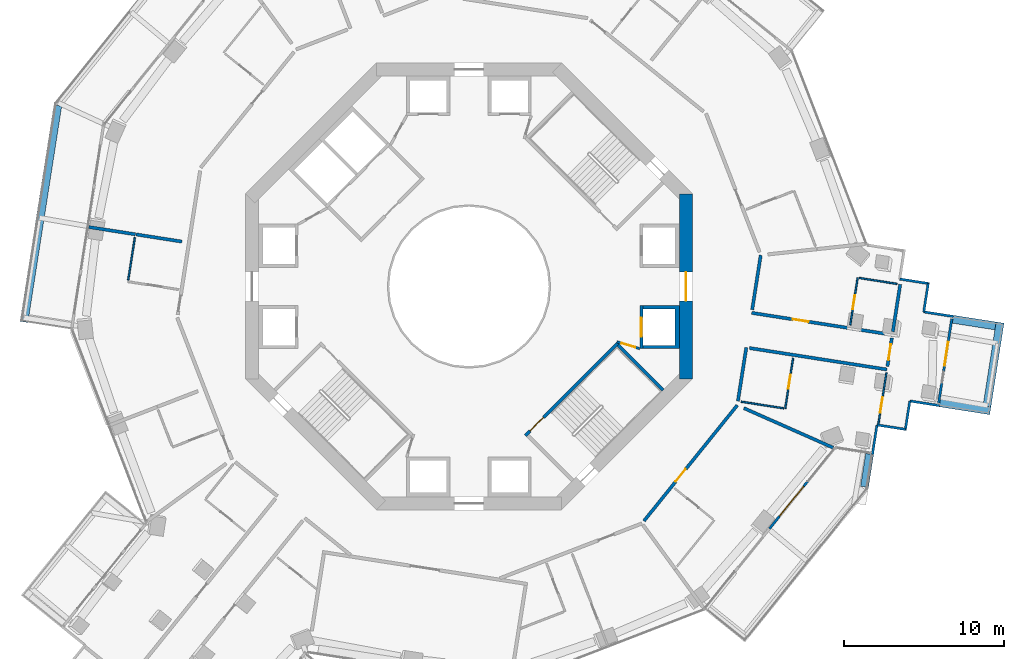
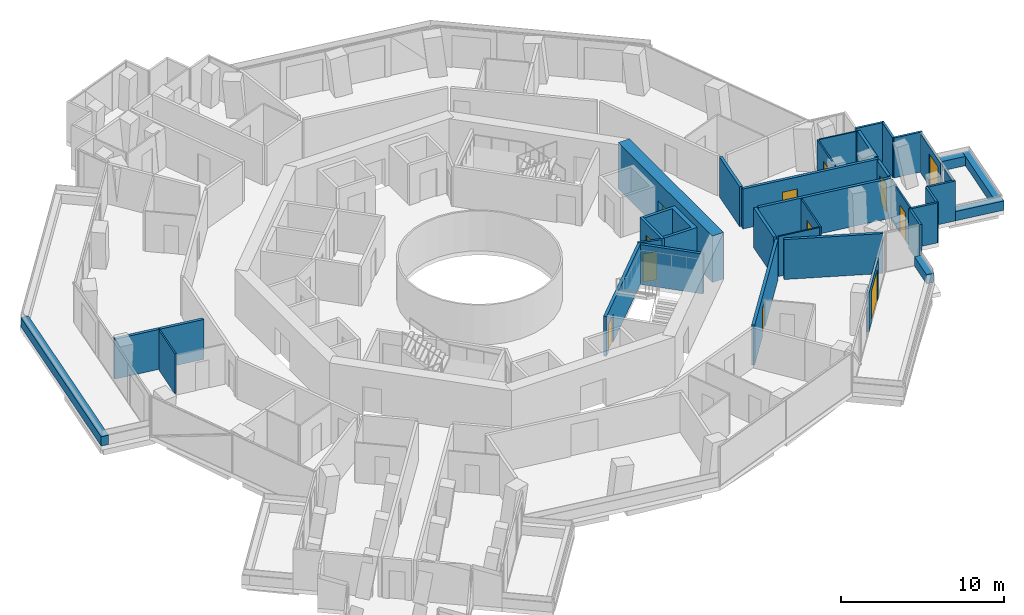
# One storey, part 17 of 23: 37 walls, 12 doors, 12 openings.
"""IFC4 building model written with IfcOpenShell, lengths in metres."""

from ifc_helpers import new_model, si_unit, direction, frame, frame_2d, origin, place, context, subcontext, project, spatial, polyline, rectangle, outline, extrude, material, layer, layer_set, type_object, element, fill, save


model = new_model("IFC4")

# Units and contexts
model_context = context("Model", 3, precision=1e-05, world=origin(), true_north=direction((0.0, 1.0)))
body_context = subcontext(model_context, "Body", "Model", "MODEL_VIEW")
ifc_project = project(units=[si_unit("LENGTHUNIT", "METRE"), si_unit("AREAUNIT", "SQUARE_METRE"), si_unit("VOLUMEUNIT", "CUBIC_METRE"), si_unit("PLANEANGLEUNIT", "RADIAN"), si_unit("MASSUNIT", "GRAM", prefix="KILO")], contexts=[model_context])

# Site, building, storey
site_placement = place(None, origin())
site = spatial("IfcSite", under=ifc_project, at=site_placement, CompositionType="ELEMENT")
building_placement = place(site_placement, origin())
building = spatial("IfcBuilding", under=site, at=building_placement, Name="Verdalira Terraces Hotel", CompositionType="ELEMENT")
storey_placement = place(building_placement, frame((0.0, 0.0, 118.5)))
storey = spatial("IfcBuildingStorey", under=building, at=storey_placement, Name="L28", CompositionType="ELEMENT", Elevation=118.5)

# Walls
ifc_material_1 = material(Name="Concrete C40", Category="concrete")
ifc_layer_1 = layer(ifc_material_1, 0.5)
ifc_layer_set_1 = layer_set([ifc_layer_1], Name="Balcony planter trough with tree")
wall_type_1 = type_object("IfcWallType", Name="Balcony planter trough with tree", PredefinedType="SOLIDWALL", material=ifc_layer_set_1)
wall_1_placement = place(storey_placement, frame((-25.76709, 11.336914, 0.0), z_axis=(0.0, 0.0, 1.0), x_axis=(-0.15436277, -0.988014238, 0.0)))
element("IfcWall", 1, at=wall_1_placement, inside=storey, type_object=wall_type_1, Name="Balcony planter", PredefinedType="SOLIDWALL", context=body_context, shape_type="SweptSolid", body=[
    extrude(rectangle(XDim=13.723633, YDim=0.5, at=frame_2d((6.861816, 0.0))), origin(), (0.0, 0.0, 1.0), 0.699951),
])
wall_2_placement = place(storey_placement, frame((24.786133, -12.553467, 0.0), z_axis=(0.0, 0.0, 1.0), x_axis=(0.154416344, 0.988005867, 0.0)))
element("IfcWall", 2, at=wall_2_placement, inside=storey, type_object=wall_type_1, Name="Balcony planter", PredefinedType="SOLIDWALL", context=body_context, shape_type="SweptSolid", body=[
    extrude(rectangle(XDim=2.075928, YDim=0.5, at=frame_2d((1.038086, 0.0))), origin(), (0.0, 0.0, 1.0), 0.699951),
])
wall_3_placement = place(storey_placement, frame((29.505859, -7.291992, 0.0), z_axis=(0.0, 0.0, 1.0), x_axis=(0.988009851, -0.154390849, 0.0)))
element("IfcWall", 3, at=wall_3_placement, inside=storey, type_object=wall_type_1, Name="Balcony planter", PredefinedType="SOLIDWALL", context=body_context, shape_type="SweptSolid", body=[
    extrude(rectangle(XDim=3.198975, YDim=0.5, at=frame_2d((1.599609, 0.0))), origin(), (0.0, 0.0, 1.0), 0.699951),
])
wall_4_placement = place(storey_placement, frame((32.458008, -7.500244, 0.0), z_axis=(0.0, 0.0, 1.0), x_axis=(0.154410606, 0.988006764, 0.0)))
element("IfcWall", 4, at=wall_4_placement, inside=storey, type_object=wall_type_1, Name="Balcony planter", PredefinedType="SOLIDWALL", context=body_context, shape_type="SweptSolid", body=[
    extrude(rectangle(XDim=5.299805, YDim=0.5, at=frame_2d((2.649902, 0.0))), origin(), (0.0, 0.0, 1.0), 0.699951),
])
wall_5_placement = place(storey_placement, frame((32.990723, -2.472168, 0.0), z_axis=(0.0, 0.0, 1.0), x_axis=(-0.988021948, 0.154313416, 0.0)))
element("IfcWall", 5, at=wall_5_placement, inside=storey, type_object=wall_type_1, Name="Balcony planter", PredefinedType="SOLIDWALL", context=body_context, shape_type="SweptSolid", body=[
    extrude(rectangle(XDim=2.698975, YDim=0.5, at=frame_2d((1.349609, 0.0))), origin(), (0.0, 0.0, 1.0), 0.699951),
])
ifc_material_2 = material(Name="Moisture-resistant gypsum board partition")
ifc_layer_2 = layer(ifc_material_2, 0.10009765625)
ifc_layer_set_2 = layer_set([ifc_layer_2], Name="Bathroom partition 100 mm")
wall_type_2 = type_object("IfcWallType", Name="Bathroom partition 100 mm", PredefinedType="PARTITIONING", material=ifc_layer_set_2)
for number, where, z_axis, x_axis, name in (
    (6, (-21.352295, 0.400879, 0.0), (0.0, 0.0, 1.0), (0.154346539, 0.988016774, 0.0), "Bathroom partition"),
    (7, (17.04834, -7.218262, 0.0), (0.0, 0.0, 1.0), (0.988016774, -0.154346539, 0.0), "Bathroom partition"),
):
    element("IfcWall", number, at=place(storey_placement, frame(where, z_axis=z_axis, x_axis=x_axis)), inside=storey, type_object=wall_type_2, Name=name, PredefinedType="PARTITIONING", context=body_context, shape_type="SweptSolid", body=[
        extrude(rectangle(XDim=2.700195, YDim=0.100098, at=frame_2d((1.350098, 0.0))), origin(), (0.0, 0.0, 1.0), 3.0),
    ])

# Wall, opening, door
wall_6_placement = place(storey_placement, frame((19.814941, -7.650391, 0.0), z_axis=(0.0, 0.0, 1.0), x_axis=(0.154344297, 0.988017124, 0.0)))
wall_6 = element("IfcWall", 8, at=wall_6_placement, inside=storey, type_object=wall_type_2, Name="Bathroom partition", PredefinedType="PARTITIONING", context=body_context, shape_type="SweptSolid", body=[
    extrude(rectangle(XDim=3.199951, YDim=0.100098, at=frame_2d((1.600098, 0.0))), origin(), (0.0, 0.0, 1.0), 3.0),
])
opening_1_placement = place(wall_6_placement, frame((1.25, 0.0, 0.0)))
opening_1 = element("IfcOpeningElement", 9, at=opening_1_placement, cuts=wall_6, Name="Opening L28-124", PredefinedType="OPENING", context=body_context, shape_type="SweptSolid", body=[
    extrude(rectangle(XDim=0.899902, YDim=2.100098, at=frame_2d((0.449951, 1.050049))), frame((0.0, 0.060059, 0.0), z_axis=(0.0, -1.0, 0.0), x_axis=(1.0, 0.0, 0.0)), (0.0, 0.0, 1.0), 0.120117),
])
ifc_material_3 = material(Name="Timber door", Category="wood")
door_type_1 = type_object("IfcDoorType", Name="Bathroom door 900 x 2100", OperationType="NOTDEFINED", PredefinedType="DOOR", material=ifc_material_3)
door_1_placement = place(opening_1_placement, origin())
door_1 = element("IfcDoor", 10, at=door_1_placement, inside=storey, type_object=door_type_1, Name="Bathroom door 2811", OperationType="SINGLE_SWING_LEFT", OverallHeight=2.10009765625, OverallWidth=0.89990234375, PredefinedType="DOOR", context=body_context, shape_type="SweptSolid", body=[
    extrude(rectangle(XDim=0.899902, YDim=2.100098, at=frame_2d((0.449951, 1.050049))), frame((0.0, 0.024902, 0.0), z_axis=(0.0, -1.0, 0.0), x_axis=(1.0, 0.0, 0.0)), (0.0, 0.0, 1.0), 0.050049),
])
fill(opening_1, door_1)

wall_7_placement = place(storey_placement, frame((24.353271, 0.547363, 0.0), z_axis=(0.0, 0.0, 1.0), x_axis=(-0.154374398, -0.988012422, 0.0)))
wall_7 = element("IfcWall", 11, at=wall_7_placement, inside=storey, type_object=wall_type_2, Name="Bathroom partition", PredefinedType="PARTITIONING", context=body_context, shape_type="SweptSolid", body=[
    extrude(rectangle(XDim=3.0, YDim=0.100098, at=frame_2d((1.5, 0.0))), origin(), (0.0, 0.0, 1.0), 3.0),
])
opening_2_placement = place(wall_7_placement, frame((1.100098, 0.0, 0.0)))
opening_2 = element("IfcOpeningElement", 12, at=opening_2_placement, cuts=wall_7, Name="Opening L28-126", PredefinedType="OPENING", context=body_context, shape_type="SweptSolid", body=[
    extrude(rectangle(XDim=0.899902, YDim=2.100098, at=frame_2d((0.449951, 1.050049))), frame((0.0, 0.060059, 0.0), z_axis=(0.0, -1.0, 0.0), x_axis=(1.0, 0.0, 0.0)), (0.0, 0.0, 1.0), 0.120117),
])
door_2_placement = place(opening_2_placement, origin())
door_2 = element("IfcDoor", 13, at=door_2_placement, inside=storey, type_object=door_type_1, Name="Bathroom door 2812", OperationType="SINGLE_SWING_LEFT", OverallHeight=2.10009765625, OverallWidth=0.89990234375, PredefinedType="DOOR", context=body_context, shape_type="SweptSolid", body=[
    extrude(rectangle(XDim=0.899902, YDim=2.100098, at=frame_2d((0.449951, 1.050049))), frame((0.0, 0.024902, 0.0), z_axis=(0.0, -1.0, 0.0), x_axis=(1.0, 0.0, 0.0)), (0.0, 0.0, 1.0), 0.050049),
])
fill(opening_2, door_2)

# Wall
wall_8_placement = place(storey_placement, frame((24.452148, 0.531738, 0.0), z_axis=(0.0, 0.0, 1.0), x_axis=(0.988019791, -0.154327226, 0.0)))
element("IfcWall", 14, at=wall_8_placement, inside=storey, type_object=wall_type_2, Name="Bathroom partition", PredefinedType="PARTITIONING", context=body_context, shape_type="SweptSolid", body=[
    extrude(rectangle(XDim=2.399902, YDim=0.100098, at=frame_2d((1.199951, 0.0))), origin(), (0.0, 0.0, 1.0), 3.0),
])

# Wall, opening, door
wall_9_placement = place(storey_placement, frame((25.654297, -8.615479, 0.0), z_axis=(0.0, 0.0, 1.0), x_axis=(0.154420391, 0.988005234, 0.0)))
wall_9 = element("IfcWall", 15, at=wall_9_placement, inside=storey, type_object=wall_type_2, Name="Bathroom partition", PredefinedType="PARTITIONING", context=body_context, shape_type="SweptSolid", body=[
    extrude(rectangle(XDim=3.252197, YDim=0.100098, at=frame_2d((1.625977, 0.0))), origin(), (0.0, 0.0, 1.0), 3.0),
])
opening_3_placement = place(wall_9_placement, frame((0.699951, 0.0, 0.0)))
opening_3 = element("IfcOpeningElement", 16, at=opening_3_placement, cuts=wall_9, Name="Opening L28-123", PredefinedType="OPENING", context=body_context, shape_type="SweptSolid", body=[
    extrude(rectangle(XDim=1.0, YDim=2.100098, at=frame_2d((0.5, 1.050049))), frame((0.0, 0.060059, 0.0), z_axis=(0.0, -1.0, 0.0), x_axis=(1.0, 0.0, 0.0)), (0.0, 0.0, 1.0), 0.120117),
])
ifc_material_4 = material(Name="Timber door", Category="wood")
door_type_2 = type_object("IfcDoorType", Name="Suite internal door 1000 x 2100", OperationType="NOTDEFINED", PredefinedType="DOOR", material=ifc_material_4)
door_3_placement = place(opening_3_placement, origin())
door_3 = element("IfcDoor", 17, at=door_3_placement, inside=storey, type_object=door_type_2, Name="Suite internal door 2811", OperationType="SINGLE_SWING_LEFT", OverallHeight=2.10009765625, OverallWidth=1.0, PredefinedType="DOOR", context=body_context, shape_type="SweptSolid", body=[
    extrude(rectangle(XDim=1.0, YDim=2.100098, at=frame_2d((0.5, 1.050049))), frame((0.0, 0.024902, 0.0), z_axis=(0.0, -1.0, 0.0), x_axis=(1.0, 0.0, 0.0)), (0.0, 0.0, 1.0), 0.050049),
])
fill(opening_3, door_3)

# Wall
ifc_material_5 = material(Name="Concrete C50", Category="concrete")
ifc_layer_3 = layer(ifc_material_5, 0.199951171875)
ifc_layer_set_3 = layer_set([ifc_layer_3], Name="Core RC wall 200 C50")
wall_type_3 = type_object("IfcWallType", Name="Core RC wall 200 C50", PredefinedType="SOLIDWALL", material=ifc_layer_set_3)
wall_10_placement = place(storey_placement, origin())
element("IfcWall", 18, at=wall_10_placement, inside=storey, type_object=wall_type_3, Name="L28 shaft wall E1", PredefinedType="SOLIDWALL", context=body_context, shape_type="SweptSolid", body=[
    extrude(outline(polyline([(13.199951, -3.899902), (10.899902, -3.899902), (10.899902, -3.699951), (12.899902, -3.699951), (12.899902, -1.399902), (10.899902, -1.399902), (10.899902, -1.199951), (13.199951, -1.199951), (13.199951, -3.899902)])), origin(), (0.0, 0.0, 1.0), 3.0),
])

# Wall, opening, door
wall_11_placement = place(storey_placement, frame((10.800049, -1.199951, 0.0), z_axis=(0.0, 0.0, 1.0), x_axis=(0.0, -1.0, 0.0)))
wall_11 = element("IfcWall", 19, at=wall_11_placement, inside=storey, type_object=wall_type_3, Name="L28 shaft front wall E1", PredefinedType="SOLIDWALL", context=body_context, shape_type="SweptSolid", body=[
    extrude(rectangle(XDim=2.699951, YDim=0.199951, at=frame_2d((1.350098, 0.0))), origin(), (0.0, 0.0, 1.0), 3.0),
])
opening_4_placement = place(wall_11_placement, frame((0.75, 0.0, 0.0)))
opening_4 = element("IfcOpeningElement", 20, at=opening_4_placement, cuts=wall_11, Name="Opening LD-L28-801", PredefinedType="OPENING", context=body_context, shape_type="SweptSolid", body=[
    extrude(rectangle(XDim=1.199951, YDim=2.100098, at=frame_2d((0.600098, 1.050049))), frame((0.0, 0.109863, 0.0), z_axis=(0.0, -1.0, 0.0), x_axis=(1.0, 0.0, 0.0)), (0.0, 0.0, 1.0), 0.219971),
])
ifc_material_6 = material(Name="Stainless steel", Category="steel")
door_type_3 = type_object("IfcDoorType", Name="Landing door 1200 x 2100", OperationType="NOTDEFINED", PredefinedType="DOOR", material=ifc_material_6)
door_4_placement = place(opening_4_placement, origin())
door_4 = element("IfcDoor", 21, at=door_4_placement, inside=storey, type_object=door_type_3, Name="Lift landing door LR1 L28", OperationType="DOUBLE_DOOR_SLIDING", OverallHeight=2.10009765625, OverallWidth=1.199951171875, PredefinedType="DOOR", context=body_context, shape_type="SweptSolid", body=[
    extrude(rectangle(XDim=1.199951, YDim=2.100098, at=frame_2d((0.600098, 1.050049))), frame((0.0, 0.024902, 0.0), z_axis=(0.0, -1.0, 0.0), x_axis=(1.0, 0.0, 0.0)), (0.0, 0.0, 1.0), 0.050049),
])
fill(opening_4, door_4)

wall_12_placement = place(storey_placement, frame((9.33374, -3.5354, 0.0), z_axis=(0.0, 0.0, 1.0), x_axis=(-0.707106781, -0.707106781, 0.0)))
wall_12 = element("IfcWall", 22, at=wall_12_placement, inside=storey, type_object=wall_type_3, Name="L28 stair ST3 front wall", PredefinedType="SOLIDWALL", context=body_context, shape_type="SweptSolid", body=[
    extrude(rectangle(XDim=8.200195, YDim=0.199951, at=frame_2d((4.100098, 0.0))), origin(), (0.0, 0.0, 1.0), 3.0),
])
opening_5_placement = place(wall_12_placement, frame((6.600098, 0.0, 0.0)))
opening_5 = element("IfcOpeningElement", 23, at=opening_5_placement, cuts=wall_12, Name="Opening L28-811", PredefinedType="OPENING", context=body_context, shape_type="SweptSolid", body=[
    extrude(rectangle(XDim=1.199951, YDim=2.100098, at=frame_2d((0.600098, 1.050049))), frame((0.0, 0.109863, 0.0), z_axis=(0.0, -1.0, 0.0), x_axis=(1.0, 0.0, 0.0)), (0.0, 0.0, 1.0), 0.219971),
])
ifc_material_7 = material(Name="Steel fire door", Category="steel")
door_type_4 = type_object("IfcDoorType", Name="Stair door 1200 x 2100", OperationType="NOTDEFINED", PredefinedType="DOOR", material=ifc_material_7)
door_5_placement = place(opening_5_placement, origin())
door_5 = element("IfcDoor", 24, at=door_5_placement, inside=storey, type_object=door_type_4, Name="Stair door ST3 L28", OperationType="SINGLE_SWING_RIGHT", OverallHeight=2.10009765625, OverallWidth=1.199951171875, PredefinedType="DOOR", context=body_context, shape_type="SweptSolid", body=[
    extrude(rectangle(XDim=1.199951, YDim=2.100098, at=frame_2d((0.600098, 1.050049))), frame((0.0, 0.024902, 0.0), z_axis=(0.0, -1.0, 0.0), x_axis=(1.0, 0.0, 0.0)), (0.0, 0.0, 1.0), 0.050049),
])
fill(opening_5, door_5)

# Wall
wall_13_placement = place(storey_placement, frame((9.33374, -3.677002, 0.0), z_axis=(0.0, 0.0, 1.0), x_axis=(0.707106781, -0.707106781, 0.0)))
element("IfcWall", 25, at=wall_13_placement, inside=storey, type_object=wall_type_3, Name="L28 stair ST3 end wall 2", PredefinedType="SOLIDWALL", context=body_context, shape_type="SweptSolid", body=[
    extrude(rectangle(XDim=4.0, YDim=0.199951, at=frame_2d((2.0, 0.0))), origin(), (0.0, 0.0, 1.0), 3.0),
])

# Wall, opening, door
ifc_material_8 = material(Name="Gypsum board partition")
ifc_layer_4 = layer(ifc_material_8, 0.14990234375)
ifc_layer_set_4 = layer_set([ifc_layer_4], Name="Core partition 150 mm")
wall_type_4 = type_object("IfcWallType", Name="Core partition 150 mm", PredefinedType="PARTITIONING", material=ifc_layer_set_4)
wall_14_placement = place(storey_placement, frame((9.263184, -3.464844, 0.0), z_axis=(0.0, 0.0, 1.0), x_axis=(0.957084567, -0.289808785, 0.0)))
wall_14 = element("IfcWall", 26, at=wall_14_placement, inside=storey, type_object=wall_type_4, Name="Room partition L28", PredefinedType="PARTITIONING", context=body_context, shape_type="SweptSolid", body=[
    extrude(rectangle(XDim=1.501221, YDim=0.149902, at=frame_2d((0.750488, 0.0))), origin(), (0.0, 0.0, 1.0), 3.0),
])
opening_6_placement = place(wall_14_placement, frame((0.300781, 0.0, 0.0)))
opening_6 = element("IfcOpeningElement", 27, at=opening_6_placement, cuts=wall_14, Name="Opening L28-824", PredefinedType="OPENING", context=body_context, shape_type="SweptSolid", body=[
    extrude(rectangle(XDim=0.899902, YDim=2.100098, at=frame_2d((0.449951, 1.050049))), frame((0.0, 0.084961, 0.0), z_axis=(0.0, -1.0, 0.0), x_axis=(1.0, 0.0, 0.0)), (0.0, 0.0, 1.0), 0.169922),
])
ifc_material_9 = material(Name="Steel fire door", Category="steel")
door_type_5 = type_object("IfcDoorType", Name="Core room door 900 x 2100", OperationType="NOTDEFINED", PredefinedType="DOOR", material=ifc_material_9)
door_6_placement = place(opening_6_placement, origin())
door_6 = element("IfcDoor", 28, at=door_6_placement, inside=storey, type_object=door_type_5, Name="Door L28 room7", OperationType="SINGLE_SWING_LEFT", OverallHeight=2.10009765625, OverallWidth=0.89990234375, PredefinedType="DOOR", context=body_context, shape_type="SweptSolid", body=[
    extrude(rectangle(XDim=0.899902, YDim=2.100098, at=frame_2d((0.449951, 1.050049))), frame((0.0, 0.024902, 0.0), z_axis=(0.0, -1.0, 0.0), x_axis=(1.0, 0.0, 0.0)), (0.0, 0.0, 1.0), 0.050049),
])
fill(opening_6, door_6)

ifc_material_10 = material(Name="Concrete C70", Category="concrete")
ifc_layer_5 = layer(ifc_material_10, 0.800048828125)
ifc_layer_set_5 = layer_set([ifc_layer_5], Name="Core wall 800 C70")
wall_type_5 = type_object("IfcWallType", Name="Core wall 800 C70", PredefinedType="SHEAR", material=ifc_layer_set_5)
wall_15_placement = place(storey_placement, frame((13.600098, -5.799072, 0.0), z_axis=(0.0, 0.0, 1.0), x_axis=(0.0, 1.0, 0.0)))
wall_15 = element("IfcWall", 29, at=wall_15_placement, inside=storey, type_object=wall_type_5, Name="Core wall CW-L28-1", PredefinedType="SHEAR", context=body_context, shape_type="SweptSolid", body=[
    extrude(rectangle(XDim=11.598145, YDim=0.800049, at=frame_2d((5.799072, 0.0))), origin(), (0.0, 0.0, 1.0), 3.5),
])
opening_7_placement = place(wall_15_placement, frame((4.898926, 0.0, 0.0)))
opening_7 = element("IfcOpeningElement", 30, at=opening_7_placement, cuts=wall_15, Name="Opening L28-812", PredefinedType="OPENING", context=body_context, shape_type="SweptSolid", body=[
    extrude(rectangle(XDim=1.800049, YDim=2.100098, at=frame_2d((0.899902, 1.050049))), frame((0.0, 0.409912, 0.0), z_axis=(0.0, -1.0, 0.0), x_axis=(1.0, 0.0, 0.0)), (0.0, 0.0, 1.0), 0.820068),
])
ifc_material_11 = material(Name="Steel fire door", Category="steel")
door_type_6 = type_object("IfcDoorType", Name="Core entry door pair 1800 x 2100", OperationType="NOTDEFINED", PredefinedType="DOOR", material=ifc_material_11)
door_7_placement = place(opening_7_placement, origin())
door_7 = element("IfcDoor", 31, at=door_7_placement, inside=storey, type_object=door_type_6, Name="Core entry door L28 0", OperationType="DOUBLE_DOOR_SINGLE_SWING", OverallHeight=2.10009765625, OverallWidth=1.800048828125, PredefinedType="DOOR", context=body_context, shape_type="SweptSolid", body=[
    extrude(rectangle(XDim=1.800049, YDim=2.100098, at=frame_2d((0.899902, 1.050049))), frame((0.0, 0.024902, 0.0), z_axis=(0.0, -1.0, 0.0), x_axis=(1.0, 0.0, 0.0)), (0.0, 0.0, 1.0), 0.050049),
])
fill(opening_7, door_7)

# Walls
ifc_material_12 = material(Name="Fire-rated gypsum board wall")
ifc_layer_6 = layer(ifc_material_12, 0.199951171875)
ifc_layer_set_6 = layer_set([ifc_layer_6], Name="Demising wall 200 mm")
wall_type_6 = type_object("IfcWallType", Name="Demising wall 200 mm", PredefinedType="SOLIDWALL", material=ifc_layer_set_6)
wall_16_placement = place(storey_placement, frame((-20.902588, 3.265869, 0.0), z_axis=(0.0, 0.0, 1.0), x_axis=(-0.988021098, 0.154318856, 0.0)))
element("IfcWall", 32, at=wall_16_placement, inside=storey, type_object=wall_type_6, Name="Demising wall", PredefinedType="SOLIDWALL", context=body_context, shape_type="SweptSolid", body=[
    extrude(rectangle(XDim=2.952148, YDim=0.199951, at=frame_2d((1.476074, 0.0))), origin(), (0.0, 0.0, 1.0), 3.0),
])
wall_17_placement = place(storey_placement, frame((-17.987305, 2.810303, 0.0), z_axis=(0.0, 0.0, 1.0), x_axis=(-0.988010431, 0.154387135, 0.0)))
element("IfcWall", 33, at=wall_17_placement, inside=storey, type_object=wall_type_6, Name="Demising wall", PredefinedType="SOLIDWALL", context=body_context, shape_type="SweptSolid", body=[
    extrude(rectangle(XDim=2.905029, YDim=0.199951, at=frame_2d((1.452637, 0.0))), origin(), (0.0, 0.0, 1.0), 3.0),
])
wall_18_placement = place(storey_placement, frame((17.219971, -7.623535, 0.0), z_axis=(0.0, 0.0, 1.0), x_axis=(0.914388555, -0.404837709, 0.0)))
element("IfcWall", 34, at=wall_18_placement, inside=storey, type_object=wall_type_6, Name="Demising wall", PredefinedType="SOLIDWALL", context=body_context, shape_type="SweptSolid", body=[
    extrude(rectangle(XDim=6.131836, YDim=0.199951, at=frame_2d((3.065918, 0.0))), origin(), (0.0, 0.0, 1.0), 3.0),
])
wall_19_placement = place(storey_placement, frame((26.557617, -2.835449, 0.0), z_axis=(0.0, 0.0, 1.0), x_axis=(0.154347127, 0.988016682, 0.0)))
element("IfcWall", 35, at=wall_19_placement, inside=storey, type_object=wall_type_6, Name="Demising wall", PredefinedType="SOLIDWALL", context=body_context, shape_type="SweptSolid", body=[
    extrude(rectangle(XDim=3.003662, YDim=0.199951, at=frame_2d((1.501953, 0.0))), origin(), (0.0, 0.0, 1.0), 3.0),
])

# Wall, opening, door
ifc_material_13 = material(Name="Fire-rated gypsum board wall")
ifc_layer_7 = layer(ifc_material_13, 0.199951171875)
ifc_layer_set_7 = layer_set([ifc_layer_7], Name="Guest corridor wall 200 mm")
wall_type_7 = type_object("IfcWallType", Name="Guest corridor wall 200 mm", PredefinedType="SOLIDWALL", material=ifc_layer_set_7)
wall_20_placement = place(storey_placement, frame((16.810791, -7.442627, 0.0), z_axis=(0.0, 0.0, 1.0), x_axis=(-0.627684838, -0.778467561, 0.0)))
wall_20 = element("IfcWall", 36, at=wall_20_placement, inside=storey, type_object=wall_type_7, Name="Guest corridor wall", PredefinedType="SOLIDWALL", context=body_context, shape_type="SweptSolid", body=[
    extrude(rectangle(XDim=9.31665, YDim=0.199951, at=frame_2d((4.658203, 0.0))), origin(), (0.0, 0.0, 1.0), 3.0),
])
opening_8_placement = place(wall_20_placement, frame((5.149902, 0.0, 0.0)))
opening_8 = element("IfcOpeningElement", 37, at=opening_8_placement, cuts=wall_20, Name="Opening L28-120", PredefinedType="OPENING", context=body_context, shape_type="SweptSolid", body=[
    extrude(rectangle(XDim=1.0, YDim=2.100098, at=frame_2d((0.5, 1.050049))), frame((0.0, 0.109863, 0.0), z_axis=(0.0, -1.0, 0.0), x_axis=(1.0, 0.0, 0.0)), (0.0, 0.0, 1.0), 0.219971),
])
ifc_material_14 = material(Name="Timber fire door", Category="wood")
door_type_7 = type_object("IfcDoorType", Name="Guest entry door 1000 x 2100", OperationType="NOTDEFINED", PredefinedType="DOOR", material=ifc_material_14)
door_8_placement = place(opening_8_placement, origin())
door_8 = element("IfcDoor", 38, at=door_8_placement, inside=storey, type_object=door_type_7, Name="Guest entry door 2810", OperationType="SINGLE_SWING_LEFT", OverallHeight=2.10009765625, OverallWidth=1.0, PredefinedType="DOOR", context=body_context, shape_type="SweptSolid", body=[
    extrude(rectangle(XDim=1.0, YDim=2.100098, at=frame_2d((0.5, 1.050049))), frame((0.0, 0.024902, 0.0), z_axis=(0.0, -1.0, 0.0), x_axis=(1.0, 0.0, 0.0)), (0.0, 0.0, 1.0), 0.050049),
])
fill(opening_8, door_8)

# Walls
wall_21_placement = place(storey_placement, frame((16.85083, -7.187256, 0.0), z_axis=(0.0, 0.0, 1.0), x_axis=(0.154387833, 0.988010322, 0.0)))
element("IfcWall", 39, at=wall_21_placement, inside=storey, type_object=wall_type_7, Name="Guest corridor wall", PredefinedType="SOLIDWALL", context=body_context, shape_type="SweptSolid", body=[
    extrude(rectangle(XDim=3.399902, YDim=0.199951, at=frame_2d((1.699951, 0.0))), origin(), (0.0, 0.0, 1.0), 3.0),
])
wall_22_placement = place(storey_placement, frame((17.746094, -1.456787, 0.0), z_axis=(0.0, 0.0, 1.0), x_axis=(0.154396263, 0.988009005, 0.0)))
element("IfcWall", 40, at=wall_22_placement, inside=storey, type_object=wall_type_7, Name="Guest corridor wall", PredefinedType="SOLIDWALL", context=body_context, shape_type="SweptSolid", body=[
    extrude(rectangle(XDim=3.458252, YDim=0.199951, at=frame_2d((1.729004, 0.0))), origin(), (0.0, 0.0, 1.0), 3.0),
])
wall_23_placement = place(storey_placement, frame((17.573242, -3.858887, 0.0), z_axis=(0.0, 0.0, 1.0), x_axis=(0.9880119, -0.154377734, 0.0)))
element("IfcWall", 41, at=wall_23_placement, inside=storey, type_object=wall_type_7, Name="Guest corridor wall", PredefinedType="SOLIDWALL", context=body_context, shape_type="SweptSolid", body=[
    extrude(rectangle(XDim=8.718506, YDim=0.199951, at=frame_2d((4.359375, 0.0))), origin(), (0.0, 0.0, 1.0), 3.0),
])

# Wall, opening, door
wall_24_placement = place(storey_placement, frame((17.715332, -1.654541, 0.0), z_axis=(0.0, 0.0, 1.0), x_axis=(0.988013599, -0.154366859, 0.0)))
wall_24 = element("IfcWall", 42, at=wall_24_placement, inside=storey, type_object=wall_type_7, Name="Guest corridor wall", PredefinedType="SOLIDWALL", context=body_context, shape_type="SweptSolid", body=[
    extrude(rectangle(XDim=8.918457, YDim=0.199951, at=frame_2d((4.459229, 0.0))), origin(), (0.0, 0.0, 1.0), 3.0),
])
opening_9_placement = place(wall_24_placement, frame((2.600098, 0.0, 0.0)))
opening_9 = element("IfcOpeningElement", 43, at=opening_9_placement, cuts=wall_24, Name="Opening L28-125", PredefinedType="OPENING", context=body_context, shape_type="SweptSolid", body=[
    extrude(rectangle(XDim=1.0, YDim=2.100098, at=frame_2d((0.5, 1.050049))), frame((0.0, 0.109863, 0.0), z_axis=(0.0, -1.0, 0.0), x_axis=(1.0, 0.0, 0.0)), (0.0, 0.0, 1.0), 0.219971),
])
door_9_placement = place(opening_9_placement, origin())
door_9 = element("IfcDoor", 44, at=door_9_placement, inside=storey, type_object=door_type_7, Name="Guest entry door 2812", OperationType="SINGLE_SWING_LEFT", OverallHeight=2.10009765625, OverallWidth=1.0, PredefinedType="DOOR", context=body_context, shape_type="SweptSolid", body=[
    extrude(rectangle(XDim=1.0, YDim=2.100098, at=frame_2d((0.5, 1.050049))), frame((0.0, 0.024902, 0.0), z_axis=(0.0, -1.0, 0.0), x_axis=(1.0, 0.0, 0.0)), (0.0, 0.0, 1.0), 0.050049),
])
fill(opening_9, door_9)

wall_25_placement = place(storey_placement, frame((26.496338, -3.226807, 0.0), z_axis=(0.0, 0.0, 1.0), x_axis=(-0.154273674, -0.988028154, 0.0)))
wall_25 = element("IfcWall", 45, at=wall_25_placement, inside=storey, type_object=wall_type_7, Name="Guest corridor wall", PredefinedType="SOLIDWALL", context=body_context, shape_type="SweptSolid", body=[
    extrude(rectangle(XDim=1.803955, YDim=0.199951, at=frame_2d((0.901855, 0.0))), origin(), (0.0, 0.0, 1.0), 3.0),
])
opening_10_placement = place(wall_25_placement, frame((0.399902, 0.0, 0.0)))
opening_10 = element("IfcOpeningElement", 46, at=opening_10_placement, cuts=wall_25, Name="Opening L28-122", PredefinedType="OPENING", context=body_context, shape_type="SweptSolid", body=[
    extrude(rectangle(XDim=1.0, YDim=2.100098, at=frame_2d((0.5, 1.050049))), frame((0.0, 0.109863, 0.0), z_axis=(0.0, -1.0, 0.0), x_axis=(1.0, 0.0, 0.0)), (0.0, 0.0, 1.0), 0.219971),
])
door_10_placement = place(opening_10_placement, origin())
door_10 = element("IfcDoor", 47, at=door_10_placement, inside=storey, type_object=door_type_7, Name="Guest entry door 2811", OperationType="SINGLE_SWING_LEFT", OverallHeight=2.10009765625, OverallWidth=1.0, PredefinedType="DOOR", context=body_context, shape_type="SweptSolid", body=[
    extrude(rectangle(XDim=1.0, YDim=2.100098, at=frame_2d((0.5, 1.050049))), frame((0.0, 0.024902, 0.0), z_axis=(0.0, -1.0, 0.0), x_axis=(1.0, 0.0, 0.0)), (0.0, 0.0, 1.0), 0.050049),
])
fill(opening_10, door_10)

# Walls
ifc_material_15 = material(Name="Terracotta cladding", Category="masonry")
ifc_layer_8 = layer(ifc_material_15, 0.14990234375)
ifc_layer_set_8 = layer_set([ifc_layer_8], Name="Terracotta clad wall 150")
wall_type_8 = type_object("IfcWallType", Name="Terracotta clad wall 150", PredefinedType="SOLIDWALL", material=ifc_layer_set_8)
wall_26_placement = place(storey_placement, frame((25.279541, -10.528564, 0.0), z_axis=(0.0, 0.0, 1.0), x_axis=(0.154424544, 0.988004585, 0.0)))
element("IfcWall", 48, at=wall_26_placement, inside=storey, type_object=wall_type_8, Name="Terracotta cladding wall", PredefinedType="SOLIDWALL", context=body_context, shape_type="SweptSolid", body=[
    extrude(rectangle(XDim=1.875, YDim=0.149902, at=frame_2d((0.9375, 0.0))), origin(), (0.0, 0.0, 1.0), 3.0),
])
wall_27_placement = place(storey_placement, frame((25.569092, -8.676025, 0.0), z_axis=(0.0, 0.0, 1.0), x_axis=(0.98801462, -0.154360329, 0.0)))
element("IfcWall", 49, at=wall_27_placement, inside=storey, type_object=wall_type_8, Name="Terracotta cladding wall", PredefinedType="SOLIDWALL", context=body_context, shape_type="SweptSolid", body=[
    extrude(rectangle(XDim=1.799805, YDim=0.149902, at=frame_2d((0.899902, 0.0))), origin(), (0.0, 0.0, 1.0), 3.0),
])
for number, where, z_axis, x_axis, name in (
    (50, (27.335938, -9.027832, 0.0), (0.0, 0.0, 1.0), (0.154297439, 0.988024443, 0.0), "Terracotta cladding wall"),
    (51, (27.625244, -7.175293, 0.0), (0.0, 0.0, 1.0), (0.988004585, -0.154424544, 0.0), "Terracotta cladding wall"),
    (52, (30.350098, -1.882568, 0.0), (0.0, 0.0, 1.0), (-0.988004585, 0.154424544, 0.0), "Terracotta cladding wall"),
):
    element("IfcWall", number, at=place(storey_placement, frame(where, z_axis=z_axis, x_axis=x_axis)), inside=storey, type_object=wall_type_8, Name=name, PredefinedType="SOLIDWALL", context=body_context, shape_type="SweptSolid", body=[
        extrude(rectangle(XDim=1.875, YDim=0.149902, at=frame_2d((0.9375, 0.0))), origin(), (0.0, 0.0, 1.0), 3.0),
    ])
wall_28_placement = place(storey_placement, frame((28.497559, -1.593018, 0.0), z_axis=(0.0, 0.0, 1.0), x_axis=(0.154360329, 0.98801462, 0.0)))
element("IfcWall", 53, at=wall_28_placement, inside=storey, type_object=wall_type_8, Name="Terracotta cladding wall", PredefinedType="SOLIDWALL", context=body_context, shape_type="SweptSolid", body=[
    extrude(rectangle(XDim=1.799805, YDim=0.149902, at=frame_2d((0.899902, 0.0))), origin(), (0.0, 0.0, 1.0), 3.0),
])
wall_29_placement = place(storey_placement, frame((28.849365, 0.173828, 0.0), z_axis=(0.0, 0.0, 1.0), x_axis=(-0.988021343, 0.154317292, 0.0)))
element("IfcWall", 54, at=wall_29_placement, inside=storey, type_object=wall_type_8, Name="Terracotta cladding wall", PredefinedType="SOLIDWALL", context=body_context, shape_type="SweptSolid", body=[
    extrude(rectangle(XDim=1.874756, YDim=0.149902, at=frame_2d((0.9375, 0.0))), origin(), (0.0, 0.0, 1.0), 3.0),
])
ifc_material_16 = material(Name="Terracotta cladding", Category="masonry")
ifc_layer_9 = layer(ifc_material_16, 0.14990234375)
ifc_layer_set_9 = layer_set([ifc_layer_9], Name="Terracotta column pier 150")
wall_type_9 = type_object("IfcWallType", Name="Terracotta column pier 150", PredefinedType="SOLIDWALL", material=ifc_layer_set_9)
wall_30_placement = place(storey_placement, frame((29.427734, -7.300049, 0.0), z_axis=(0.0, 0.0, 1.0), x_axis=(0.154278591, 0.988027387, 0.0)))
element("IfcWall", 55, at=wall_30_placement, inside=storey, type_object=wall_type_9, Name="Terracotta column pier", PredefinedType="SOLIDWALL", context=body_context, shape_type="SweptSolid", body=[
    extrude(rectangle(XDim=1.288086, YDim=0.149902, at=frame_2d((0.644043, 0.0))), origin(), (0.0, 0.0, 1.0), 2.935059),
])

# Wall, opening, door
ifc_material_17 = material(Name="Terracotta cladding", Category="masonry")
ifc_layer_10 = layer(ifc_material_17, 0.14990234375)
ifc_layer_set_10 = layer_set([ifc_layer_10], Name="Terracotta door pier 150")
wall_type_10 = type_object("IfcWallType", Name="Terracotta door pier 150", PredefinedType="SOLIDWALL", material=ifc_layer_set_10)
wall_31_placement = place(storey_placement, frame((18.825928, -15.179688, 0.0), z_axis=(0.0, 0.0, 1.0), x_axis=(0.627703654, 0.77845239, 0.0)))
wall_31 = element("IfcWall", 56, at=wall_31_placement, inside=storey, type_object=wall_type_10, Name="Terracotta door pier", PredefinedType="SOLIDWALL", context=body_context, shape_type="SweptSolid", body=[
    extrude(rectangle(XDim=3.813965, YDim=0.149902, at=frame_2d((1.906982, 0.0))), origin(), (0.0, 0.0, 1.0), 2.935059),
])
opening_11_placement = place(wall_31_placement, frame((1.013916, 0.0, 0.0)))
opening_11 = element("IfcOpeningElement", 57, at=opening_11_placement, cuts=wall_31, Name="Opening L28-B10", PredefinedType="OPENING", context=body_context, shape_type="SweptSolid", body=[
    extrude(rectangle(XDim=2.399902, YDim=2.399902, at=frame_2d((1.199951, 1.199951))), frame((0.0, 0.084961, 0.0), z_axis=(0.0, -1.0, 0.0), x_axis=(1.0, 0.0, 0.0)), (0.0, 0.0, 1.0), 0.169922),
])
ifc_material_18 = material(Name="Clear glass", Category="glass")
door_type_8 = type_object("IfcDoorType", Name="Balcony sliding door 2400x2400", OperationType="NOTDEFINED", PredefinedType="DOOR", material=ifc_material_18)
door_11_placement = place(opening_11_placement, origin())
door_11 = element("IfcDoor", 58, at=door_11_placement, inside=storey, type_object=door_type_8, Name="Balcony sliding door", OperationType="SLIDING_TO_LEFT", OverallHeight=2.39990234375, OverallWidth=2.39990234375, PredefinedType="DOOR", context=body_context, shape_type="SweptSolid", body=[
    extrude(rectangle(XDim=2.399902, YDim=2.399902, at=frame_2d((1.199951, 1.199951))), frame((0.0, 0.024902, 0.0), z_axis=(0.0, -1.0, 0.0), x_axis=(1.0, 0.0, 0.0)), (0.0, 0.0, 1.0), 0.050049),
])
fill(opening_11, door_11)

wall_32_placement = place(storey_placement, frame((29.731689, -5.35376, 0.0), z_axis=(0.0, 0.0, 1.0), x_axis=(0.1543813, 0.988011343, 0.0)))
wall_32 = element("IfcWall", 59, at=wall_32_placement, inside=storey, type_object=wall_type_10, Name="Terracotta door pier", PredefinedType="SOLIDWALL", context=body_context, shape_type="SweptSolid", body=[
    extrude(rectangle(XDim=3.369873, YDim=0.149902, at=frame_2d((1.685059, 0.0))), origin(), (0.0, 0.0, 1.0), 2.935059),
])
opening_12_placement = place(wall_32_placement, frame((0.399902, 0.0, 0.0)))
opening_12 = element("IfcOpeningElement", 60, at=opening_12_placement, cuts=wall_32, Name="Opening L28-B11", PredefinedType="OPENING", context=body_context, shape_type="SweptSolid", body=[
    extrude(rectangle(XDim=1.5, YDim=2.399902, at=frame_2d((0.75, 1.199951))), frame((0.0, 0.084961, 0.0), z_axis=(0.0, -1.0, 0.0), x_axis=(1.0, 0.0, 0.0)), (0.0, 0.0, 1.0), 0.169922),
])
ifc_material_19 = material(Name="Clear glass", Category="glass")
door_type_9 = type_object("IfcDoorType", Name="Balcony sliding door 1500x2400", OperationType="NOTDEFINED", PredefinedType="DOOR", material=ifc_material_19)
door_12_placement = place(opening_12_placement, origin())
door_12 = element("IfcDoor", 61, at=door_12_placement, inside=storey, type_object=door_type_9, Name="Balcony sliding door", OperationType="SLIDING_TO_RIGHT", OverallHeight=2.39990234375, OverallWidth=1.5, PredefinedType="DOOR", context=body_context, shape_type="SweptSolid", body=[
    extrude(rectangle(XDim=1.5, YDim=2.399902, at=frame_2d((0.75, 1.199951))), frame((0.0, 0.024902, 0.0), z_axis=(0.0, -1.0, 0.0), x_axis=(1.0, 0.0, 0.0)), (0.0, 0.0, 1.0), 0.050049),
])
fill(opening_12, door_12)

save(model, "model.ifc")
